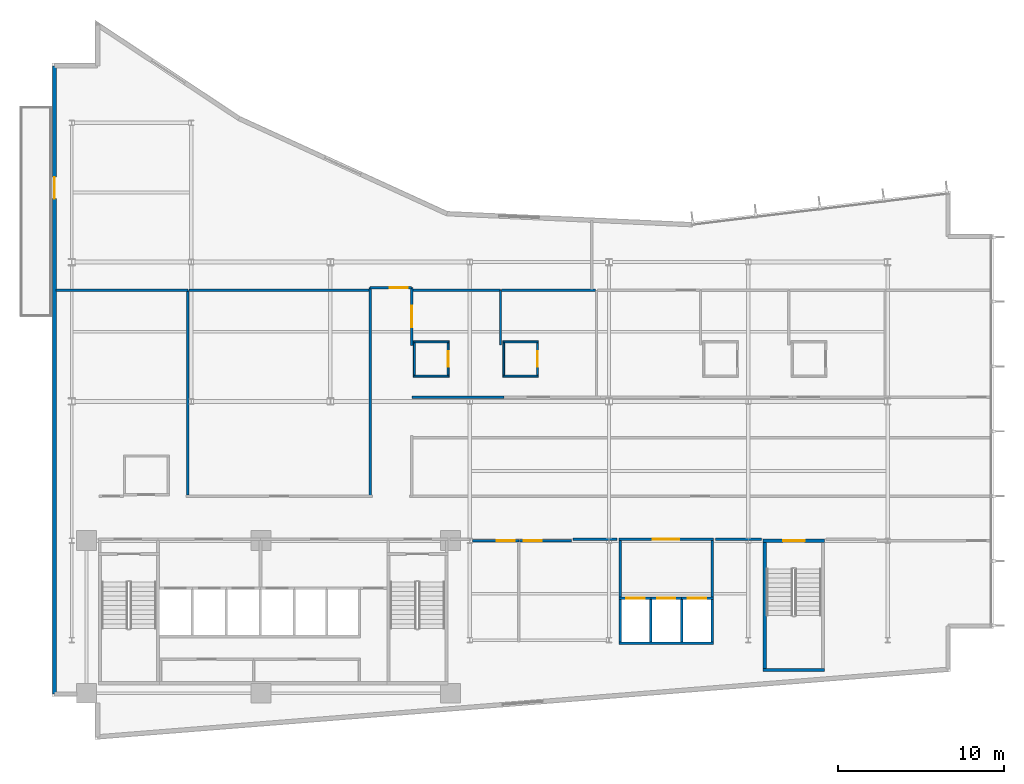
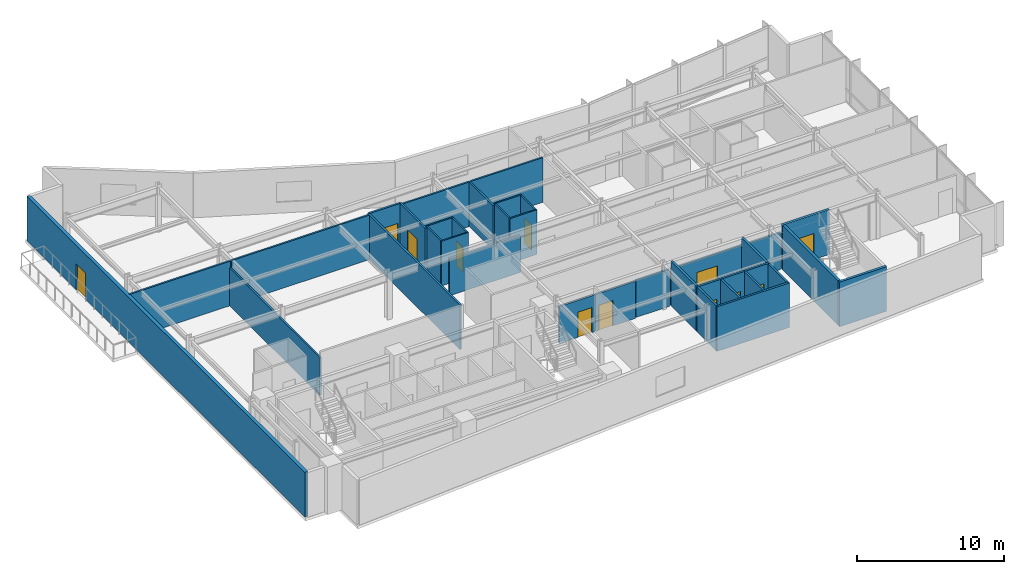
# One storey, part 11 of 18: 37 walls, 12 doors, 12 openings.
"""IFC4 building model written with IfcOpenShell, lengths in metres."""

from ifc_helpers import new_model, si_unit, direction, frame, frame_2d, origin, place, context, subcontext, project, spatial, rectangle, extrude, material, layer, layer_set, type_object, element, fill, save


model = new_model("IFC4")

# Units and contexts
model_context = context("Model", 3, precision=1e-05, world=origin(), true_north=direction((0.0, 1.0)))
body_context = subcontext(model_context, "Body", "Model", "MODEL_VIEW")
ifc_project = project(units=[si_unit("LENGTHUNIT", "METRE"), si_unit("AREAUNIT", "SQUARE_METRE"), si_unit("VOLUMEUNIT", "CUBIC_METRE"), si_unit("PLANEANGLEUNIT", "RADIAN"), si_unit("MASSUNIT", "GRAM", prefix="KILO")], contexts=[model_context])

# Site, building, storey
site_placement = place(None, origin())
site = spatial("IfcSite", under=ifc_project, at=site_placement, CompositionType="ELEMENT")
building_placement = place(site_placement, origin())
building = spatial("IfcBuilding", under=site, at=building_placement, Name="Varnakote Quay Hospital", CompositionType="ELEMENT")
storey_placement = place(building_placement, frame((0.0, 0.0, 142.85009765625)))
storey = spatial("IfcBuildingStorey", under=building, at=storey_placement, Name="L35", CompositionType="ELEMENT", Elevation=142.85009765625)

# Walls
ifc_material_1 = material(Name="Fire-rated acoustic gypsum stud wall", Category="gypsum")
ifc_layer_1 = layer(ifc_material_1, 0.159912109375)
ifc_layer_set_1 = layer_set([ifc_layer_1], Name="Fire-rated acoustic gypsum stud wall")
wall_type_1 = type_object("IfcWallType", Name="WL-COMP-160", PredefinedType="PARTITIONING", material=ifc_layer_set_1)
for number, where, z_axis, x_axis, name in (
    (1, (34.27001953125, 8.610107421875, 0.0), (0.0, 0.0, 1.0), (0.0, 1.0, 0.0), "L35 Mid-Rise Lift Lobby West Wall"),
    (2, (39.830078125, 8.610107421875, 0.0), (0.0, 0.0, 1.0), (0.0, 1.0, 0.0), "L35 Mid-Rise Lift Lobby East Wall"),
):
    element("IfcWall", number, at=place(storey_placement, frame(where, z_axis=z_axis, x_axis=x_axis)), inside=storey, type_object=wall_type_1, Name=name, PredefinedType="PARTITIONING", context=body_context, shape_type="SweptSolid", body=[
        extrude(rectangle(XDim=3.389892578125, YDim=0.159912109375, at=frame_2d((1.69482421875, 0.0))), origin(), (0.0, 0.0, 1.0), 3.7099609375),
    ])

# Wall, opening, door
wall_1_placement = place(storey_placement, frame((34.18994140625, 12.080078125, 0.0), z_axis=(0.0, 0.0, 1.0), x_axis=(1.0, 0.0, 0.0)))
wall_1 = element("IfcWall", 3, at=wall_1_placement, inside=storey, type_object=wall_type_1, Name="L35 Mid-Rise Lift Lobby North Wall", PredefinedType="PARTITIONING", context=body_context, shape_type="SweptSolid", body=[
    extrude(rectangle(XDim=5.719970703125, YDim=0.159912109375, at=frame_2d((2.85986328125, 0.0))), origin(), (0.0, 0.0, 1.0), 3.0830078125),
])
opening_1_placement = place(wall_1_placement, frame((2.06005859375, 0.0, 0.0)))
opening_1 = element("IfcOpeningElement", 4, at=opening_1_placement, cuts=wall_1, Name="Opening D-PML-L35", PredefinedType="OPENING", context=body_context, shape_type="SweptSolid", body=[
    extrude(rectangle(XDim=1.60009765625, YDim=2.050048828125, at=frame_2d((0.800048828125, 1.02490234375))), frame((0.0, 0.08984375, 0.0), z_axis=(0.0, -1.0, 0.0), x_axis=(1.0, 0.0, 0.0)), (0.0, 0.0, 1.0), 0.179931640625),
])
ifc_material_2 = material(Name="Fire-rated double smoke lobby door")
door_type_1 = type_object("IfcDoorType", Name="DR-LOBBY-FD60S-1600x2150", OperationType="NOTDEFINED", PredefinedType="DOOR", material=ifc_material_2)
door_1_placement = place(opening_1_placement, origin())
door_1 = element("IfcDoor", 5, at=door_1_placement, inside=storey, type_object=door_type_1, Name="L35 Mid-Rise Passenger Concourse Vestibule Door", OperationType="DOUBLE_DOOR_SINGLE_SWING", OverallHeight=2.050048828125, OverallWidth=1.60009765625, PredefinedType="DOOR", context=body_context, shape_type="SweptSolid", body=[
    extrude(rectangle(XDim=1.60009765625, YDim=2.050048828125, at=frame_2d((0.800048828125, 1.02490234375))), frame((0.0, 0.02490234375, 0.0), z_axis=(0.0, -1.0, 0.0), x_axis=(1.0, 0.0, 0.0)), (0.0, 0.0, 1.0), 0.050048828125),
])
fill(opening_1, door_1)

# Walls
wall_2_placement = place(storey_placement, frame((31.439208984375, 12.080078125, 0.0), z_axis=(0.0, 0.0, 1.0), x_axis=(1.0, 0.0, 0.0)))
element("IfcWall", 6, at=wall_2_placement, inside=storey, type_object=wall_type_1, Name="L35 Corridor South Gap Wall", PredefinedType="PARTITIONING", context=body_context, shape_type="SweptSolid", body=[
    extrude(rectangle(XDim=2.630859375, YDim=0.159912109375, at=frame_2d((1.3154296875, 0.0))), origin(), (0.0, 0.0, 1.0), 3.0830078125),
])
wall_3_placement = place(storey_placement, frame((40.030029296875, 12.080078125, 0.0), z_axis=(0.0, 0.0, 1.0), x_axis=(1.0, 0.0, 0.0)))
element("IfcWall", 7, at=wall_3_placement, inside=storey, type_object=wall_type_1, Name="L35 Corridor South Gap Wall", PredefinedType="PARTITIONING", context=body_context, shape_type="SweptSolid", body=[
    extrude(rectangle(XDim=2.78076171875, YDim=0.159912109375, at=frame_2d((1.390380859375, 0.0))), origin(), (0.0, 0.0, 1.0), 3.0830078125),
])
ifc_material_3 = material(Name="Moisture-resistant bathroom partition", Category="gypsum")
ifc_layer_2 = layer(ifc_material_3, 0.114990234375)
ifc_layer_set_2 = layer_set([ifc_layer_2], Name="Moisture-resistant bathroom partition")
wall_type_2 = type_object("IfcWallType", Name="WL-ENS-115", PredefinedType="PARTITIONING", material=ifc_layer_set_2)
for number, where, z_axis, x_axis, name in (
    (8, (21.804931640625, 21.922607421875, 0.0), (0.0, 0.0, 1.0), (1.0, 0.0, 0.0), "L35 Inpatient En-Suite Bathroom 01 S Wall"),
    (9, (21.804931640625, 23.987548828125, 0.0), (0.0, 0.0, 1.0), (1.0, 0.0, 0.0), "L35 Inpatient En-Suite Bathroom 01 N Wall"),
):
    element("IfcWall", number, at=place(storey_placement, frame(where, z_axis=z_axis, x_axis=x_axis)), inside=storey, type_object=wall_type_2, Name=name, PredefinedType="PARTITIONING", context=body_context, shape_type="SweptSolid", body=[
        extrude(rectangle(XDim=2.150146484375, YDim=0.114990234375, at=frame_2d((1.0751953125, 0.0))), origin(), (0.0, 0.0, 1.0), 3.7099609375),
    ])
wall_4_placement = place(storey_placement, frame((21.862548828125, 21.97998046875, 0.0), z_axis=(0.0, 0.0, 1.0), x_axis=(0.0, 1.0, 0.0)))
element("IfcWall", 10, at=wall_4_placement, inside=storey, type_object=wall_type_2, Name="L35 Inpatient En-Suite Bathroom 01 W Wall", PredefinedType="PARTITIONING", context=body_context, shape_type="SweptSolid", body=[
    extrude(rectangle(XDim=1.949951171875, YDim=0.114990234375, at=frame_2d((0.97509765625, 0.0))), origin(), (0.0, 0.0, 1.0), 3.7099609375),
])

# Wall, opening, door
wall_5_placement = place(storey_placement, frame((23.8974609375, 21.97998046875, 0.0), z_axis=(0.0, 0.0, 1.0), x_axis=(0.0, 1.0, 0.0)))
wall_5 = element("IfcWall", 11, at=wall_5_placement, inside=storey, type_object=wall_type_2, Name="L35 Inpatient En-Suite Bathroom 01 E Wall", PredefinedType="PARTITIONING", context=body_context, shape_type="SweptSolid", body=[
    extrude(rectangle(XDim=1.949951171875, YDim=0.114990234375, at=frame_2d((0.97509765625, 0.0))), origin(), (0.0, 0.0, 1.0), 3.7099609375),
])
opening_2_placement = place(wall_5_placement, frame((0.514892578125, 0.0, 0.0)))
opening_2 = element("IfcOpeningElement", 12, at=opening_2_placement, cuts=wall_5, Name="Opening D-L35-ENS01", PredefinedType="OPENING", context=body_context, shape_type="SweptSolid", body=[
    extrude(rectangle(XDim=0.919921875, YDim=2.10009765625, at=frame_2d((0.4599609375, 1.050048828125))), frame((0.0, 0.0673828125, 0.0), z_axis=(0.0, -1.0, 0.0), x_axis=(1.0, 0.0, 0.0)), (0.0, 0.0, 1.0), 0.135009765625),
])
ifc_material_4 = material(Name="Moisture-sealed en-suite bathroom door")
door_type_2 = type_object("IfcDoorType", Name="DR-ENS-920x2100", OperationType="NOTDEFINED", PredefinedType="DOOR", material=ifc_material_4)
door_2_placement = place(opening_2_placement, origin())
door_2 = element("IfcDoor", 13, at=door_2_placement, inside=storey, type_object=door_type_2, Name="L35 Inpatient En-Suite Bathroom 01 Door", OperationType="SINGLE_SWING_LEFT", OverallHeight=2.10009765625, OverallWidth=0.919921875, PredefinedType="DOOR", context=body_context, shape_type="SweptSolid", body=[
    extrude(rectangle(XDim=0.919921875, YDim=2.10009765625, at=frame_2d((0.4599609375, 1.050048828125))), frame((0.0, 0.02490234375, 0.0), z_axis=(0.0, -1.0, 0.0), x_axis=(1.0, 0.0, 0.0)), (0.0, 0.0, 1.0), 0.050048828125),
])
fill(opening_2, door_2)

# Walls
for number, where, z_axis, x_axis, name in (
    (14, (27.195068359375, 21.922607421875, 0.0), (0.0, 0.0, 1.0), (1.0, 0.0, 0.0), "L35 Inpatient En-Suite Bathroom 02 S Wall"),
    (15, (27.195068359375, 23.987548828125, 0.0), (0.0, 0.0, 1.0), (1.0, 0.0, 0.0), "L35 Inpatient En-Suite Bathroom 02 N Wall"),
):
    element("IfcWall", number, at=place(storey_placement, frame(where, z_axis=z_axis, x_axis=x_axis)), inside=storey, type_object=wall_type_2, Name=name, PredefinedType="PARTITIONING", context=body_context, shape_type="SweptSolid", body=[
        extrude(rectangle(XDim=2.14990234375, YDim=0.114990234375, at=frame_2d((1.074951171875, 0.0))), origin(), (0.0, 0.0, 1.0), 3.7099609375),
    ])
wall_6_placement = place(storey_placement, frame((27.25244140625, 21.97998046875, 0.0), z_axis=(0.0, 0.0, 1.0), x_axis=(0.0, 1.0, 0.0)))
element("IfcWall", 16, at=wall_6_placement, inside=storey, type_object=wall_type_2, Name="L35 Inpatient En-Suite Bathroom 02 W Wall", PredefinedType="PARTITIONING", context=body_context, shape_type="SweptSolid", body=[
    extrude(rectangle(XDim=1.949951171875, YDim=0.114990234375, at=frame_2d((0.97509765625, 0.0))), origin(), (0.0, 0.0, 1.0), 3.7099609375),
])

# Wall, opening, door
wall_7_placement = place(storey_placement, frame((29.28759765625, 21.97998046875, 0.0), z_axis=(0.0, 0.0, 1.0), x_axis=(0.0, 1.0, 0.0)))
wall_7 = element("IfcWall", 17, at=wall_7_placement, inside=storey, type_object=wall_type_2, Name="L35 Inpatient En-Suite Bathroom 02 E Wall", PredefinedType="PARTITIONING", context=body_context, shape_type="SweptSolid", body=[
    extrude(rectangle(XDim=1.949951171875, YDim=0.114990234375, at=frame_2d((0.97509765625, 0.0))), origin(), (0.0, 0.0, 1.0), 3.7099609375),
])
opening_3_placement = place(wall_7_placement, frame((0.514892578125, 0.0, 0.0)))
opening_3 = element("IfcOpeningElement", 18, at=opening_3_placement, cuts=wall_7, Name="Opening D-L35-ENS02", PredefinedType="OPENING", context=body_context, shape_type="SweptSolid", body=[
    extrude(rectangle(XDim=0.919921875, YDim=2.10009765625, at=frame_2d((0.4599609375, 1.050048828125))), frame((0.0, 0.0673828125, 0.0), z_axis=(0.0, -1.0, 0.0), x_axis=(1.0, 0.0, 0.0)), (0.0, 0.0, 1.0), 0.135009765625),
])
door_3_placement = place(opening_3_placement, origin())
door_3 = element("IfcDoor", 19, at=door_3_placement, inside=storey, type_object=door_type_2, Name="L35 Inpatient En-Suite Bathroom 02 Door", OperationType="SINGLE_SWING_RIGHT", OverallHeight=2.10009765625, OverallWidth=0.919921875, PredefinedType="DOOR", context=body_context, shape_type="SweptSolid", body=[
    extrude(rectangle(XDim=0.919921875, YDim=2.10009765625, at=frame_2d((0.4599609375, 1.050048828125))), frame((0.0, 0.02490234375, 0.0), z_axis=(0.0, -1.0, 0.0), x_axis=(1.0, 0.0, 0.0)), (0.0, 0.0, 1.0), 0.050048828125),
])
fill(opening_3, door_3)

ifc_material_5 = material(Name="Precast concrete N50 (f'c 50 MPa)", Category="concrete")
ifc_layer_3 = layer(ifc_material_5, 0.260009765625)
ifc_layer_set_3 = layer_set([ifc_layer_3], Name="Precast concrete N50 (f'c 50 MPa)")
wall_type_3 = type_object("IfcWallType", Name="WL-EXT-BRICK-260", PredefinedType="STANDARD", material=ifc_layer_set_3)
wall_8_placement = place(storey_placement, frame((0.159912109375, 40.639892578125, 0.0), z_axis=(0.0, 0.0, 1.0), x_axis=(0.0, -1.0, 0.0)))
wall_8 = element("IfcWall", 20, at=wall_8_placement, inside=storey, type_object=wall_type_3, Name="L35 Healing Terrace Portal Brick Wall", PredefinedType="STANDARD", context=body_context, shape_type="SweptSolid", body=[
    extrude(rectangle(XDim=37.8798828125, YDim=0.260009765625, at=frame_2d((18.93994140625, 0.0))), origin(), (0.0, 0.0, 1.0), 3.7099609375),
])
opening_4_placement = place(wall_8_placement, frame((6.715576171875, 0.0, 0.0)))
opening_4 = element("IfcOpeningElement", 21, at=opening_4_placement, cuts=wall_8, Name="Opening DT-L35", PredefinedType="OPENING", context=body_context, shape_type="SweptSolid", body=[
    extrude(rectangle(XDim=1.300048828125, YDim=2.14990234375, at=frame_2d((0.64990234375, 1.074951171875))), frame((0.0, 0.139892578125, 0.0), z_axis=(0.0, -1.0, 0.0), x_axis=(1.0, 0.0, 0.0)), (0.0, 0.0, 1.0), 0.280029296875),
])
ifc_material_6 = material(Name="Anodised aluminium glazed terrace door", Category="aluminium")
door_type_3 = type_object("IfcDoorType", Name="DR-EXT-TERR-1300x2150", OperationType="NOTDEFINED", PredefinedType="DOOR", material=ifc_material_6)
door_4_placement = place(opening_4_placement, origin())
door_4 = element("IfcDoor", 22, at=door_4_placement, inside=storey, type_object=door_type_3, Name="L35 Waterfront Healing Terrace Door", OperationType="SINGLE_SWING_RIGHT", OverallHeight=2.14990234375, OverallWidth=1.300048828125, PredefinedType="DOOR", context=body_context, shape_type="SweptSolid", body=[
    extrude(rectangle(XDim=1.300048828125, YDim=2.14990234375, at=frame_2d((0.64990234375, 1.074951171875))), frame((0.0, 0.02490234375, 0.0), z_axis=(0.0, -1.0, 0.0), x_axis=(1.0, 0.0, 0.0)), (0.0, 0.0, 1.0), 0.050048828125),
])
fill(opening_4, door_4)

# Walls
ifc_material_7 = material(Name="Concrete N50 (f'c 50 MPa)", Category="concrete")
ifc_layer_4 = layer(ifc_material_7, 0.14990234375)
ifc_layer_set_4 = layer_set([ifc_layer_4], Name="Concrete N50 (f'c 50 MPa)")
wall_type_4 = type_object("IfcWallType", Name="WL-SHAFT-N50-150", PredefinedType="SHEAR", material=ifc_layer_set_4)
for number, where, z_axis, x_axis, name in (
    (23, (36.125, 5.89990234375, 0.0), (0.0, 0.0, 1.0), (0.0, 1.0, 0.0), "L35 LF-PM1 Hoistway Divider Wall"),
    (24, (37.97509765625, 5.89990234375, 0.0), (0.0, 0.0, 1.0), (0.0, 1.0, 0.0), "L35 LF-PM2 Hoistway Divider Wall"),
):
    element("IfcWall", number, at=place(storey_placement, frame(where, z_axis=z_axis, x_axis=x_axis)), inside=storey, type_object=wall_type_4, Name=name, PredefinedType="SHEAR", context=body_context, shape_type="SweptSolid", body=[
        extrude(rectangle(XDim=2.550048828125, YDim=0.14990234375, at=frame_2d((1.27490234375, 0.0))), origin(), (0.0, 0.0, 1.0), 3.7099609375),
    ])
ifc_material_8 = material(Name="Concrete N50 (f'c 50 MPa)", Category="concrete")
ifc_layer_5 = layer(ifc_material_8, 0.159912109375)
ifc_layer_set_5 = layer_set([ifc_layer_5], Name="Concrete N50 (f'c 50 MPa)")
wall_type_5 = type_object("IfcWallType", Name="WL-SHAFT-N50-160", PredefinedType="SHEAR", material=ifc_layer_set_5)
wall_9_placement = place(storey_placement, frame((34.18994140625, 5.820068359375, 0.0), z_axis=(0.0, 0.0, 1.0), x_axis=(1.0, 0.0, 0.0)))
element("IfcWall", 25, at=wall_9_placement, inside=storey, type_object=wall_type_5, Name="L35 MID Lift Bank Back Shear Wall", PredefinedType="SHEAR", context=body_context, shape_type="SweptSolid", body=[
    extrude(rectangle(XDim=5.719970703125, YDim=0.159912109375, at=frame_2d((2.85986328125, 0.0))), origin(), (0.0, 0.0, 1.0), 3.7099609375),
])
for number, where, z_axis, x_axis, name in (
    (26, (34.27001953125, 5.89990234375, 0.0), (0.0, 0.0, 1.0), (0.0, 1.0, 0.0), "L35 MID Lift Bank West Shear Wall"),
    (27, (39.830078125, 5.89990234375, 0.0), (0.0, 0.0, 1.0), (0.0, 1.0, 0.0), "L35 MID Lift Bank East Shear Wall"),
):
    element("IfcWall", number, at=place(storey_placement, frame(where, z_axis=z_axis, x_axis=x_axis)), inside=storey, type_object=wall_type_5, Name=name, PredefinedType="SHEAR", context=body_context, shape_type="SweptSolid", body=[
        extrude(rectangle(XDim=2.550048828125, YDim=0.159912109375, at=frame_2d((1.27490234375, 0.0))), origin(), (0.0, 0.0, 1.0), 3.7099609375),
    ])

# Wall, opening, door
wall_10_placement = place(storey_placement, frame((34.18994140625, 8.530029296875, 0.0), z_axis=(0.0, 0.0, 1.0), x_axis=(1.0, 0.0, 0.0)))
wall_10 = element("IfcWall", 28, at=wall_10_placement, inside=storey, type_object=wall_type_5, Name="L35 LF-PM1 Hoistway Front Wall", PredefinedType="SHEAR", context=body_context, shape_type="SweptSolid", body=[
    extrude(rectangle(XDim=1.93505859375, YDim=0.159912109375, at=frame_2d((0.967529296875, 0.0))), origin(), (0.0, 0.0, 1.0), 3.7099609375),
])
opening_5_placement = place(wall_10_placement, frame((0.4599609375, 0.0, 0.0)))
opening_5 = element("IfcOpeningElement", 29, at=opening_5_placement, cuts=wall_10, Name="Opening LD-PM1-L35", PredefinedType="OPENING", context=body_context, shape_type="SweptSolid", body=[
    extrude(rectangle(XDim=1.10009765625, YDim=2.14990234375, at=frame_2d((0.550048828125, 1.074951171875))), frame((0.0, 0.08984375, 0.0), z_axis=(0.0, -1.0, 0.0), x_axis=(1.0, 0.0, 0.0)), (0.0, 0.0, 1.0), 0.179931640625),
])
ifc_material_9 = material(Name="Brushed bronze lift landing sliding door")
door_type_4 = type_object("IfcDoorType", Name="DR-LIFT-LD-1100x2150", OperationType="NOTDEFINED", PredefinedType="DOOR", material=ifc_material_9)
door_5_placement = place(opening_5_placement, origin())
door_5 = element("IfcDoor", 30, at=door_5_placement, inside=storey, type_object=door_type_4, Name="L35 LF-PM1 Lift Landing Sliding Door", OperationType="SLIDING_TO_LEFT", OverallHeight=2.14990234375, OverallWidth=1.10009765625, PredefinedType="DOOR", context=body_context, shape_type="SweptSolid", body=[
    extrude(rectangle(XDim=1.10009765625, YDim=2.14990234375, at=frame_2d((0.550048828125, 1.074951171875))), frame((0.0, 0.02490234375, 0.0), z_axis=(0.0, -1.0, 0.0), x_axis=(1.0, 0.0, 0.0)), (0.0, 0.0, 1.0), 0.050048828125),
])
fill(opening_5, door_5)

wall_11_placement = place(storey_placement, frame((36.125, 8.530029296875, 0.0), z_axis=(0.0, 0.0, 1.0), x_axis=(1.0, 0.0, 0.0)))
wall_11 = element("IfcWall", 31, at=wall_11_placement, inside=storey, type_object=wall_type_5, Name="L35 LF-PM2 Hoistway Front Wall", PredefinedType="SHEAR", context=body_context, shape_type="SweptSolid", body=[
    extrude(rectangle(XDim=1.85009765625, YDim=0.159912109375, at=frame_2d((0.925048828125, 0.0))), origin(), (0.0, 0.0, 1.0), 3.7099609375),
])
opening_6_placement = place(wall_11_placement, frame((0.375, 0.0, 0.0)))
opening_6 = element("IfcOpeningElement", 32, at=opening_6_placement, cuts=wall_11, Name="Opening LD-PM2-L35", PredefinedType="OPENING", context=body_context, shape_type="SweptSolid", body=[
    extrude(rectangle(XDim=1.10009765625, YDim=2.14990234375, at=frame_2d((0.550048828125, 1.074951171875))), frame((0.0, 0.08984375, 0.0), z_axis=(0.0, -1.0, 0.0), x_axis=(1.0, 0.0, 0.0)), (0.0, 0.0, 1.0), 0.179931640625),
])
door_6_placement = place(opening_6_placement, origin())
door_6 = element("IfcDoor", 33, at=door_6_placement, inside=storey, type_object=door_type_4, Name="L35 LF-PM2 Lift Landing Sliding Door", OperationType="SLIDING_TO_LEFT", OverallHeight=2.14990234375, OverallWidth=1.10009765625, PredefinedType="DOOR", context=body_context, shape_type="SweptSolid", body=[
    extrude(rectangle(XDim=1.10009765625, YDim=2.14990234375, at=frame_2d((0.550048828125, 1.074951171875))), frame((0.0, 0.02490234375, 0.0), z_axis=(0.0, -1.0, 0.0), x_axis=(1.0, 0.0, 0.0)), (0.0, 0.0, 1.0), 0.050048828125),
])
fill(opening_6, door_6)

wall_12_placement = place(storey_placement, frame((37.97509765625, 8.530029296875, 0.0), z_axis=(0.0, 0.0, 1.0), x_axis=(1.0, 0.0, 0.0)))
wall_12 = element("IfcWall", 34, at=wall_12_placement, inside=storey, type_object=wall_type_5, Name="L35 LF-PM3 Hoistway Front Wall", PredefinedType="SHEAR", context=body_context, shape_type="SweptSolid", body=[
    extrude(rectangle(XDim=1.934814453125, YDim=0.159912109375, at=frame_2d((0.96728515625, 0.0))), origin(), (0.0, 0.0, 1.0), 3.7099609375),
])
opening_7_placement = place(wall_12_placement, frame((0.375, 0.0, 0.0)))
opening_7 = element("IfcOpeningElement", 35, at=opening_7_placement, cuts=wall_12, Name="Opening LD-PM3-L35", PredefinedType="OPENING", context=body_context, shape_type="SweptSolid", body=[
    extrude(rectangle(XDim=1.10009765625, YDim=2.14990234375, at=frame_2d((0.550048828125, 1.074951171875))), frame((0.0, 0.08984375, 0.0), z_axis=(0.0, -1.0, 0.0), x_axis=(1.0, 0.0, 0.0)), (0.0, 0.0, 1.0), 0.179931640625),
])
door_7_placement = place(opening_7_placement, origin())
door_7 = element("IfcDoor", 36, at=door_7_placement, inside=storey, type_object=door_type_4, Name="L35 LF-PM3 Lift Landing Sliding Door", OperationType="SLIDING_TO_LEFT", OverallHeight=2.14990234375, OverallWidth=1.10009765625, PredefinedType="DOOR", context=body_context, shape_type="SweptSolid", body=[
    extrude(rectangle(XDim=1.10009765625, YDim=2.14990234375, at=frame_2d((0.550048828125, 1.074951171875))), frame((0.0, 0.02490234375, 0.0), z_axis=(0.0, -1.0, 0.0), x_axis=(1.0, 0.0, 0.0)), (0.0, 0.0, 1.0), 0.050048828125),
])
fill(opening_7, door_7)

# Walls
ifc_material_10 = material(Name="Concrete N50 (f'c 50 MPa)", Category="concrete")
ifc_layer_6 = layer(ifc_material_10, 0.199951171875)
ifc_layer_set_6 = layer_set([ifc_layer_6], Name="Concrete N50 (f'c 50 MPa)")
wall_type_6 = type_object("IfcWallType", Name="WL-SHAFT-N50-200", PredefinedType="SHEAR", material=ifc_layer_set_6)
wall_13_placement = place(storey_placement, frame((42.89990234375, 4.199951171875, 0.0), z_axis=(0.0, 0.0, 1.0), x_axis=(1.0, 0.0, 0.0)))
element("IfcWall", 37, at=wall_13_placement, inside=storey, type_object=wall_type_6, Name="L35 Stair ST3 South Shaft Wall", PredefinedType="SHEAR", context=body_context, shape_type="SweptSolid", body=[
    extrude(rectangle(XDim=3.7001953125, YDim=0.199951171875, at=frame_2d((1.85009765625, 0.0))), origin(), (0.0, 0.0, 1.0), 3.7099609375),
])
wall_14_placement = place(storey_placement, frame((43.0, 4.300048828125, 0.0), z_axis=(0.0, 0.0, 1.0), x_axis=(0.0, 1.0, 0.0)))
element("IfcWall", 38, at=wall_14_placement, inside=storey, type_object=wall_type_6, Name="L35 Stair ST3 West Shaft Wall", PredefinedType="SHEAR", context=body_context, shape_type="SweptSolid", body=[
    extrude(rectangle(XDim=7.599853515625, YDim=0.199951171875, at=frame_2d((3.7998046875, 0.0))), origin(), (0.0, 0.0, 1.0), 3.7099609375),
])

# Wall, opening, door
wall_15_placement = place(storey_placement, frame((42.89990234375, 12.0, 0.0), z_axis=(0.0, 0.0, 1.0), x_axis=(1.0, 0.0, 0.0)))
wall_15 = element("IfcWall", 39, at=wall_15_placement, inside=storey, type_object=wall_type_6, Name="L35 Stair ST3 Exit Wall", PredefinedType="SHEAR", context=body_context, shape_type="SweptSolid", body=[
    extrude(rectangle(XDim=3.7001953125, YDim=0.199951171875, at=frame_2d((1.85009765625, 0.0))), origin(), (0.0, 0.0, 1.0), 3.7099609375),
])
opening_8_placement = place(wall_15_placement, frame((1.199951171875, 0.0, 0.0)))
opening_8 = element("IfcOpeningElement", 40, at=opening_8_placement, cuts=wall_15, Name="Opening D-ST3-L35", PredefinedType="OPENING", context=body_context, shape_type="SweptSolid", body=[
    extrude(rectangle(XDim=1.300048828125, YDim=2.14990234375, at=frame_2d((0.64990234375, 1.074951171875))), frame((0.0, 0.10986328125, 0.0), z_axis=(0.0, -1.0, 0.0), x_axis=(1.0, 0.0, 0.0)), (0.0, 0.0, 1.0), 0.219970703125),
])
ifc_material_11 = material(Name="Fire-rated ceramic-glazed timber exit door", Category="wood")
door_type_5 = type_object("IfcDoorType", Name="DR-STAIR-FD60S-1300x2150", OperationType="NOTDEFINED", PredefinedType="DOOR", material=ifc_material_11)
door_8_placement = place(opening_8_placement, origin())
door_8 = element("IfcDoor", 41, at=door_8_placement, inside=storey, type_object=door_type_5, Name="L35 Stair ST3 Fire Exit Door", OperationType="SINGLE_SWING_RIGHT", OverallHeight=2.14990234375, OverallWidth=1.300048828125, PredefinedType="DOOR", context=body_context, shape_type="SweptSolid", body=[
    extrude(rectangle(XDim=1.300048828125, YDim=2.14990234375, at=frame_2d((0.64990234375, 1.074951171875))), frame((0.0, 0.02490234375, 0.0), z_axis=(0.0, -1.0, 0.0), x_axis=(1.0, 0.0, 0.0)), (0.0, 0.0, 1.0), 0.050048828125),
])
fill(opening_8, door_8)

# Walls
ifc_material_12 = material(Name="Smoke-proof clinical partition", Category="gypsum")
ifc_layer_7 = layer(ifc_material_12, 0.135009765625)
ifc_layer_set_7 = layer_set([ifc_layer_7], Name="Smoke-proof clinical partition")
wall_type_7 = type_object("IfcWallType", Name="WL-SMOKE-135", PredefinedType="PARTITIONING", material=ifc_layer_set_7)
wall_16_placement = place(storey_placement, frame((8.199951171875, 14.760009765625, 0.0), z_axis=(0.0, 0.0, 1.0), x_axis=(0.0, 1.0, 0.0)))
element("IfcWall", 42, at=wall_16_placement, inside=storey, type_object=wall_type_7, Name="L35 Clinical Interior Partition", PredefinedType="PARTITIONING", context=body_context, shape_type="SweptSolid", body=[
    extrude(rectangle(XDim=12.340087890625, YDim=0.135009765625, at=frame_2d((6.169921875, 0.0))), origin(), (0.0, 0.0, 1.0), 3.15185546875),
])
wall_17_placement = place(storey_placement, frame((8.199951171875, 27.10009765625, 0.0), z_axis=(0.0, 0.0, 1.0), x_axis=(-1.0, 0.0, 0.0)))
element("IfcWall", 43, at=wall_17_placement, inside=storey, type_object=wall_type_7, Name="L35 Clinical Interior Partition", PredefinedType="PARTITIONING", context=body_context, shape_type="SweptSolid", body=[
    extrude(rectangle(XDim=7.9599609375, YDim=0.135009765625, at=frame_2d((3.97998046875, 0.0))), origin(), (0.0, 0.0, 1.0), 3.7099609375),
])
wall_18_placement = place(storey_placement, frame((19.1201171875, 27.10009765625, 0.0), z_axis=(0.0, 0.0, 1.0), x_axis=(-1.0, 0.0, 0.0)))
element("IfcWall", 44, at=wall_18_placement, inside=storey, type_object=wall_type_7, Name="L35 Clinical Interior Partition", PredefinedType="PARTITIONING", context=body_context, shape_type="SweptSolid", body=[
    extrude(rectangle(XDim=10.862548828125, YDim=0.135009765625, at=frame_2d((5.43115234375, 0.0))), origin(), (0.0, 0.0, 1.0), 3.7099609375),
])
wall_19_placement = place(storey_placement, frame((27.050048828125, 23.802490234375, 0.0), z_axis=(0.0, 0.0, 1.0), x_axis=(0.0, 1.0, 0.0)))
element("IfcWall", 45, at=wall_19_placement, inside=storey, type_object=wall_type_7, Name="L35 Clinical Interior Partition", PredefinedType="PARTITIONING", context=body_context, shape_type="SweptSolid", body=[
    extrude(rectangle(XDim=3.297607421875, YDim=0.135009765625, at=frame_2d((1.64892578125, 0.0))), origin(), (0.0, 0.0, 1.0), 3.7099609375),
])
wall_20_placement = place(storey_placement, frame((27.050048828125, 27.10009765625, 0.0), z_axis=(0.0, 0.0, 1.0), x_axis=(-1.0, 0.0, 0.0)))
element("IfcWall", 46, at=wall_20_placement, inside=storey, type_object=wall_type_7, Name="L35 Clinical Interior Partition", PredefinedType="PARTITIONING", context=body_context, shape_type="SweptSolid", body=[
    extrude(rectangle(XDim=5.28515625, YDim=0.135009765625, at=frame_2d((2.642578125, 0.0))), origin(), (0.0, 0.0, 1.0), 3.7099609375),
])
wall_21_placement = place(storey_placement, frame((32.79248046875, 27.10009765625, 0.0), z_axis=(0.0, 0.0, 1.0), x_axis=(-1.0, 0.0, 0.0)))
element("IfcWall", 47, at=wall_21_placement, inside=storey, type_object=wall_type_7, Name="L35 Clinical Interior Partition", PredefinedType="PARTITIONING", context=body_context, shape_type="SweptSolid", body=[
    extrude(rectangle(XDim=5.68505859375, YDim=0.135009765625, at=frame_2d((2.842529296875, 0.0))), origin(), (0.0, 0.0, 1.0), 3.7099609375),
])

# Wall, opening, door
ifc_material_13 = material(Name="Fire-rated clinical gypsum partition", Category="gypsum")
ifc_layer_8 = layer(ifc_material_13, 0.14990234375)
ifc_layer_set_8 = layer_set([ifc_layer_8], Name="Fire-rated clinical gypsum partition")
wall_type_8 = type_object("IfcWallType", Name="WL-WARD-150", PredefinedType="PARTITIONING", material=ifc_layer_set_8)
wall_22_placement = place(storey_placement, frame((28.159912109375, 12.0, 0.0), z_axis=(0.0, 0.0, 1.0), x_axis=(-1.0, 0.0, 0.0)))
wall_22 = element("IfcWall", 48, at=wall_22_placement, inside=storey, type_object=wall_type_8, Name="L35 Clinical Interior Partition", PredefinedType="PARTITIONING", context=body_context, shape_type="SweptSolid", body=[
    extrude(rectangle(XDim=2.806396484375, YDim=0.14990234375, at=frame_2d((1.4033203125, 0.0))), origin(), (0.0, 0.0, 1.0), 3.0830078125),
])
opening_9_placement = place(wall_22_placement, frame((0.232666015625, 0.0, 0.0)))
opening_9 = element("IfcOpeningElement", 49, at=opening_9_placement, cuts=wall_22, Name="Opening D-L35-RL1", PredefinedType="OPENING", context=body_context, shape_type="SweptSolid", body=[
    extrude(rectangle(XDim=1.10009765625, YDim=2.10009765625, at=frame_2d((0.550048828125, 1.050048828125))), frame((0.0, 0.0849609375, 0.0), z_axis=(0.0, -1.0, 0.0), x_axis=(1.0, 0.0, 0.0)), (0.0, 0.0, 1.0), 0.169921875),
])
ifc_material_14 = material(Name="Acoustic timber clinical consult door", Category="wood")
door_type_6 = type_object("IfcDoorType", Name="DR-CLIN-FD30S-1100x2100", OperationType="NOTDEFINED", PredefinedType="DOOR", material=ifc_material_14)
door_9_placement = place(opening_9_placement, origin())
door_9 = element("IfcDoor", 50, at=door_9_placement, inside=storey, type_object=door_type_6, Name="L35 Day Infusion Treatment Suite Door", OperationType="SINGLE_SWING_LEFT", OverallHeight=2.10009765625, OverallWidth=1.10009765625, PredefinedType="DOOR", context=body_context, shape_type="SweptSolid", body=[
    extrude(rectangle(XDim=1.10009765625, YDim=2.10009765625, at=frame_2d((0.550048828125, 1.050048828125))), frame((0.0, 0.02490234375, 0.0), z_axis=(0.0, -1.0, 0.0), x_axis=(1.0, 0.0, 0.0)), (0.0, 0.0, 1.0), 0.050048828125),
])
fill(opening_9, door_9)

wall_23_placement = place(storey_placement, frame((31.35009765625, 12.0, 0.0), z_axis=(0.0, 0.0, 1.0), x_axis=(-1.0, 0.0, 0.0)))
wall_23 = element("IfcWall", 51, at=wall_23_placement, inside=storey, type_object=wall_type_8, Name="L35 Clinical Interior Partition", PredefinedType="PARTITIONING", context=body_context, shape_type="SweptSolid", body=[
    extrude(rectangle(XDim=3.132568359375, YDim=0.14990234375, at=frame_2d((1.56640625, 0.0))), origin(), (0.0, 0.0, 1.0), 3.0830078125),
])
opening_10_placement = place(wall_23_placement, frame((1.791748046875, 0.0, 0.0)))
opening_10 = element("IfcOpeningElement", 52, at=opening_10_placement, cuts=wall_23, Name="Opening D-L35-RL2", PredefinedType="OPENING", context=body_context, shape_type="SweptSolid", body=[
    extrude(rectangle(XDim=1.10009765625, YDim=2.10009765625, at=frame_2d((0.550048828125, 1.050048828125))), frame((0.0, 0.0849609375, 0.0), z_axis=(0.0, -1.0, 0.0), x_axis=(1.0, 0.0, 0.0)), (0.0, 0.0, 1.0), 0.169921875),
])
door_10_placement = place(opening_10_placement, origin())
door_10 = element("IfcDoor", 53, at=door_10_placement, inside=storey, type_object=door_type_6, Name="L35 Telemedicine Consult Office Door", OperationType="SINGLE_SWING_RIGHT", OverallHeight=2.10009765625, OverallWidth=1.10009765625, PredefinedType="DOOR", context=body_context, shape_type="SweptSolid", body=[
    extrude(rectangle(XDim=1.10009765625, YDim=2.10009765625, at=frame_2d((0.550048828125, 1.050048828125))), frame((0.0, 0.02490234375, 0.0), z_axis=(0.0, -1.0, 0.0), x_axis=(1.0, 0.0, 0.0)), (0.0, 0.0, 1.0), 0.050048828125),
])
fill(opening_10, door_10)

# Wall
wall_24_placement = place(storey_placement, frame((19.199951171875, 27.260009765625, 0.0), z_axis=(0.0, 0.0, 1.0), x_axis=(0.0, -1.0, 0.0)))
element("IfcWall", 54, at=wall_24_placement, inside=storey, type_object=wall_type_8, Name="L35 Clinical Interior Partition", PredefinedType="PARTITIONING", context=body_context, shape_type="SweptSolid", body=[
    extrude(rectangle(XDim=12.56005859375, YDim=0.14990234375, at=frame_2d((6.280029296875, 0.0))), origin(), (0.0, 0.0, 1.0), 3.7099609375),
])

# Wall, opening, door
wall_25_placement = place(storey_placement, frame((21.699951171875, 23.783935546875, 0.0), z_axis=(0.0, 0.0, 1.0), x_axis=(0.0, 1.0, 0.0)))
wall_25 = element("IfcWall", 55, at=wall_25_placement, inside=storey, type_object=wall_type_8, Name="L35 Clinical Interior Partition", PredefinedType="PARTITIONING", context=body_context, shape_type="SweptSolid", body=[
    extrude(rectangle(XDim=3.47607421875, YDim=0.14990234375, at=frame_2d((1.738037109375, 0.0))), origin(), (0.0, 0.0, 1.0), 3.7099609375),
])
opening_11_placement = place(wall_25_placement, frame((1.087890625, 0.0, 0.0)))
opening_11 = element("IfcOpeningElement", 56, at=opening_11_placement, cuts=wall_25, Name="Opening D-L35-BR01", PredefinedType="OPENING", context=body_context, shape_type="SweptSolid", body=[
    extrude(rectangle(XDim=1.300048828125, YDim=2.14990234375, at=frame_2d((0.64990234375, 1.074951171875))), frame((0.0, 0.0849609375, 0.0), z_axis=(0.0, -1.0, 0.0), x_axis=(1.0, 0.0, 0.0)), (0.0, 0.0, 1.0), 0.169921875),
])
ifc_material_15 = material(Name="Solid-core timber clinical bed door", Category="wood")
door_type_7 = type_object("IfcDoorType", Name="DR-WARD-FD30S-1300x2150", OperationType="NOTDEFINED", PredefinedType="DOOR", material=ifc_material_15)
door_11_placement = place(opening_11_placement, origin())
door_11 = element("IfcDoor", 57, at=door_11_placement, inside=storey, type_object=door_type_7, Name="L35 Resident Care Bedroom 01 Door", OperationType="SINGLE_SWING_LEFT", OverallHeight=2.14990234375, OverallWidth=1.300048828125, PredefinedType="DOOR", context=body_context, shape_type="SweptSolid", body=[
    extrude(rectangle(XDim=1.300048828125, YDim=2.14990234375, at=frame_2d((0.64990234375, 1.074951171875))), frame((0.0, 0.02490234375, 0.0), z_axis=(0.0, -1.0, 0.0), x_axis=(1.0, 0.0, 0.0)), (0.0, 0.0, 1.0), 0.050048828125),
])
fill(opening_11, door_11)

wall_26_placement = place(storey_placement, frame((21.699951171875, 27.260009765625, 0.0), z_axis=(0.0, 0.0, 1.0), x_axis=(-1.0, 0.0, 0.0)))
wall_26 = element("IfcWall", 58, at=wall_26_placement, inside=storey, type_object=wall_type_8, Name="L35 Clinical Interior Partition", PredefinedType="PARTITIONING", context=body_context, shape_type="SweptSolid", body=[
    extrude(rectangle(XDim=2.5, YDim=0.14990234375, at=frame_2d((1.25, 0.0))), origin(), (0.0, 0.0, 1.0), 3.7099609375),
])
opening_12_placement = place(wall_26_placement, frame((0.22509765625, 0.0, 0.0)))
opening_12 = element("IfcOpeningElement", 59, at=opening_12_placement, cuts=wall_26, Name="Opening D-L35-MD05", PredefinedType="OPENING", context=body_context, shape_type="SweptSolid", body=[
    extrude(rectangle(XDim=1.10009765625, YDim=2.10009765625, at=frame_2d((0.550048828125, 1.050048828125))), frame((0.0, 0.0849609375, 0.0), z_axis=(0.0, -1.0, 0.0), x_axis=(1.0, 0.0, 0.0)), (0.0, 0.0, 1.0), 0.169921875),
])
door_12_placement = place(opening_12_placement, origin())
door_12 = element("IfcDoor", 60, at=door_12_placement, inside=storey, type_object=door_type_6, Name="L35 Multidisciplinary Clinical Consultation Suite Door", OperationType="SINGLE_SWING_RIGHT", OverallHeight=2.10009765625, OverallWidth=1.10009765625, PredefinedType="DOOR", context=body_context, shape_type="SweptSolid", body=[
    extrude(rectangle(XDim=1.10009765625, YDim=2.10009765625, at=frame_2d((0.550048828125, 1.050048828125))), frame((0.0, 0.02490234375, 0.0), z_axis=(0.0, -1.0, 0.0), x_axis=(1.0, 0.0, 0.0)), (0.0, 0.0, 1.0), 0.050048828125),
])
fill(opening_12, door_12)

# Wall
wall_27_placement = place(storey_placement, frame((27.27587890625, 20.64990234375, 0.0), z_axis=(0.0, 0.0, 1.0), x_axis=(-1.0, 0.0, 0.0)))
element("IfcWall", 61, at=wall_27_placement, inside=storey, type_object=wall_type_8, Name="L35 Clinical Interior Partition", PredefinedType="PARTITIONING", context=body_context, shape_type="SweptSolid", body=[
    extrude(rectangle(XDim=5.555908203125, YDim=0.14990234375, at=frame_2d((2.77783203125, 0.0))), origin(), (0.0, 0.0, 1.0), 3.0830078125),
])

save(model, "model.ifc")
